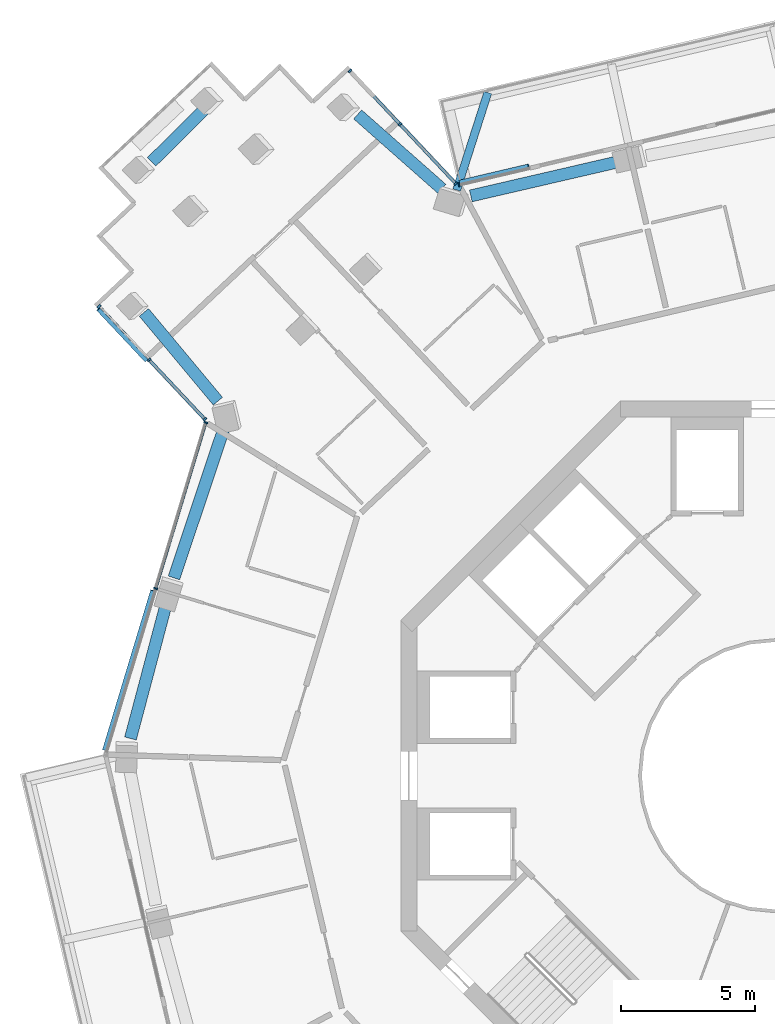
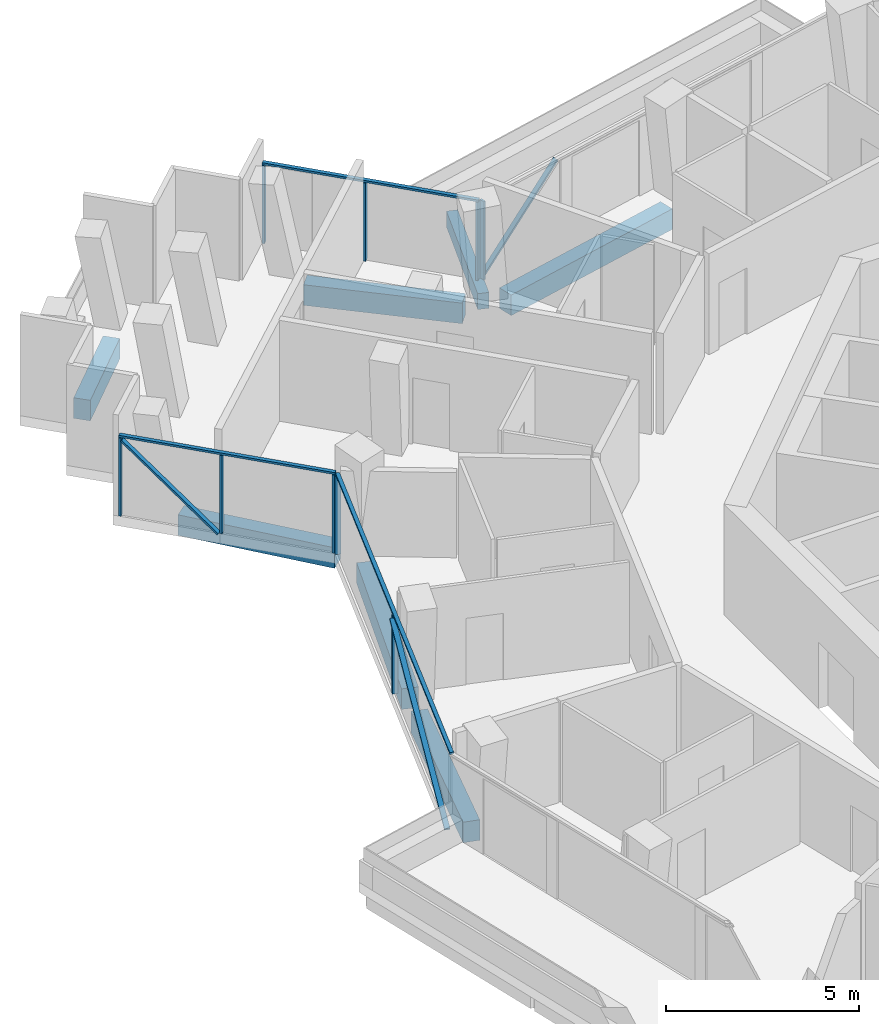
# One storey, part 7 of 24: 15 members, 7 beams, 4 elements without a shape of their own.
"""IFC4 building model written with IfcOpenShell, lengths in metres."""

from ifc_helpers import new_model, si_unit, direction, frame, origin, origin_2d, place, context, subcontext, project, spatial, rectangle, extrude, material, layer, layer_set, material_profile, profile_set, type_object, element, aggregate, save


model = new_model("IFC4")

# Units and contexts
model_context = context("Model", 3, precision=1e-05, world=origin(), true_north=direction((0.0, 1.0)))
body_context = subcontext(model_context, "Body", "Model", "MODEL_VIEW")
ifc_project = project(units=[si_unit("LENGTHUNIT", "METRE"), si_unit("AREAUNIT", "SQUARE_METRE"), si_unit("VOLUMEUNIT", "CUBIC_METRE"), si_unit("PLANEANGLEUNIT", "RADIAN"), si_unit("MASSUNIT", "GRAM", prefix="KILO")], contexts=[model_context])

# Site, building, storey
site_placement = place(None, origin())
site = spatial("IfcSite", under=ifc_project, at=site_placement, CompositionType="ELEMENT")
building_placement = place(site_placement, origin())
building = spatial("IfcBuilding", under=site, at=building_placement, Name="Verdalira Terraces Hotel", CompositionType="ELEMENT")
storey_placement = place(building_placement, frame((0.0, 0.0, 209.0)))
storey = spatial("IfcBuildingStorey", under=building, at=storey_placement, Name="L51", CompositionType="ELEMENT", Elevation=209.0)

# Beam
ifc_material_1 = material(Name="Concrete C40", Category="concrete")
ifc_material_profile_1 = material_profile(ifc_material_1, rectangle(XDim=0.300049, YDim=0.5, at=origin_2d()), Name="RC 300X500")
ifc_profile_set_1 = profile_set([ifc_material_profile_1], Name="Concrete C40")
beam_type_1 = type_object("IfcBeamType", Name="Balcony cantilever beam RC 300X500 C40", PredefinedType="BEAM", material=ifc_profile_set_1)
beam_1_placement = place(storey_placement, frame((-11.913818, 21.868408, -0.560059), z_axis=(0.305007634, 0.952349906, 0.0), x_axis=(-0.952349906, 0.305007634, 0.0)))
element("IfcBeam", 1, at=beam_1_placement, inside=storey, type_object=beam_type_1, Name="Balcony cantilever beam R41-3", PredefinedType="BEAM", context=body_context, shape_type="SweptSolid", body=[
    extrude(rectangle(XDim=0.300049, YDim=0.5, at=origin_2d()), origin(), (0.0, 0.0, 1.0), 3.819824),
])

# Curtain wall, members
ifc_material_2 = material(Name="Clear glass", Category="glass")
ifc_layer_1 = layer(ifc_material_2, 0.14990234375)
ifc_layer_set_1 = layer_set([ifc_layer_1], Name="CW1 curtain wall")
curtain_wall_type_1 = type_object("IfcCurtainWallType", Name="CW1 curtain wall", PredefinedType="NOTDEFINED", material=ifc_layer_set_1)
curtain_wall_1_placement = place(storey_placement, origin())
curtain_wall_1 = element("IfcCurtainWall", 2, at=curtain_wall_1_placement, inside=storey, type_object=curtain_wall_type_1, Name="CW1 curtain wall L51 edge 11", PredefinedType="NOTDEFINED")
ifc_material_3 = material(Name="Terracotta frame", Category="masonry")
ifc_material_profile_2 = material_profile(ifc_material_3, rectangle(XDim=0.060059, YDim=0.149902, at=origin_2d()), Name="MU 60x150")
ifc_profile_set_2 = profile_set([ifc_material_profile_2], Name="Terracotta frame")
member_type_1 = type_object("IfcMemberType", Name="CW1 mullion 60x150", PredefinedType="MULLION", material=ifc_profile_set_2)
member_1_placement = place(storey_placement, frame((-21.28125, 13.183594, 0.0), z_axis=(0.0, 0.0, 1.0), x_axis=(-0.289031797, -0.957319498, 0.0)))
member_1 = element("IfcMember", 3, at=member_1_placement, type_object=member_type_1, Name="CW1 mullion", PredefinedType="MULLION", context=body_context, shape_type="SweptSolid", body=[
    extrude(rectangle(XDim=0.060059, YDim=0.149902, at=origin_2d()), origin(), (0.0, 0.0, 1.0), 2.475098),
])
member_2_placement = place(storey_placement, frame((-23.151123, 6.989746, 0.0), z_axis=(0.0, 0.0, 1.0), x_axis=(-0.289031797, -0.957319498, 0.0)))
member_2 = element("IfcMember", 4, at=member_2_placement, type_object=member_type_1, Name="CW1 mullion", PredefinedType="MULLION", context=body_context, shape_type="SweptSolid", body=[
    extrude(rectangle(XDim=0.060059, YDim=0.149902, at=origin_2d()), origin(), (0.0, 0.0, 1.0), 2.475098),
])

# Curtain wall, member
curtain_wall_2_placement = place(storey_placement, origin())
curtain_wall_2 = element("IfcCurtainWall", 5, at=curtain_wall_2_placement, inside=storey, type_object=curtain_wall_type_1, Name="CW1 curtain wall L51 edge 41", PredefinedType="NOTDEFINED")
member_3_placement = place(storey_placement, frame((-11.821289, 22.066895, 0.0), z_axis=(0.0, 0.0, 1.0), x_axis=(-0.973578903, -0.22835087, 0.0)))
member_3 = element("IfcMember", 6, at=member_3_placement, type_object=member_type_1, Name="CW1 mullion", PredefinedType="MULLION", context=body_context, shape_type="SweptSolid", body=[
    extrude(rectangle(XDim=0.060059, YDim=0.149902, at=origin_2d()), origin(), (0.0, 0.0, 1.0), 2.475098),
])

# Member
ifc_material_4 = material(Name="Terracotta frame", Category="masonry")
ifc_material_profile_3 = material_profile(ifc_material_4, rectangle(XDim=0.110107, YDim=0.064941, at=origin_2d()), Name="TR 65x110")
ifc_profile_set_3 = profile_set([ifc_material_profile_3], Name="Terracotta frame")
member_type_2 = type_object("IfcMemberType", Name="CW1 transom 65x110", PredefinedType="USERDEFINED", material=ifc_profile_set_3)
member_4_placement = place(storey_placement, frame((-21.272461, 13.212402, 2.507568), z_axis=(-0.289034235, -0.957318761, 0.0), x_axis=(0.957318761, -0.289034235, 0.0)))
member_4 = element("IfcMember", 7, at=member_4_placement, type_object=member_type_2, Name="CW1 transom", ObjectType="TRANSOM", PredefinedType="USERDEFINED", context=body_context, shape_type="SweptSolid", body=[
    extrude(rectangle(XDim=0.110107, YDim=0.064941, at=origin_2d()), origin(), (0.0, 0.0, 1.0), 12.959961),
])

# Curtain wall, members
ifc_material_5 = material(Name="Clear glass", Category="glass")
ifc_layer_2 = layer(ifc_material_5, 0.14990234375)
ifc_layer_set_2 = layer_set([ifc_layer_2], Name="CW2 curtain wall")
curtain_wall_type_2 = type_object("IfcCurtainWallType", Name="CW2 curtain wall", PredefinedType="NOTDEFINED", material=ifc_layer_set_2)
curtain_wall_3_placement = place(storey_placement, origin())
curtain_wall_3 = element("IfcCurtainWall", 8, at=curtain_wall_3_placement, inside=storey, type_object=curtain_wall_type_2, Name="CW2 curtain wall L51 edge 0", PredefinedType="NOTDEFINED")
ifc_material_6 = material(Name="Terracotta frame", Category="masonry")
ifc_material_profile_4 = material_profile(ifc_material_6, rectangle(XDim=0.070068, YDim=0.149902, at=origin_2d()), Name="MU 70x150")
ifc_profile_set_4 = profile_set([ifc_material_profile_4], Name="Terracotta frame")
member_type_3 = type_object("IfcMemberType", Name="CW2 mullion 70x150", PredefinedType="MULLION", material=ifc_profile_set_4)
member_5_placement = place(storey_placement, frame((-11.946289, 22.107178, 0.0), z_axis=(0.0, 0.0, 1.0), x_axis=(-0.684547106, 0.728968627, 0.0)))
member_5 = element("IfcMember", 9, at=member_5_placement, type_object=member_type_3, Name="CW2 mullion", PredefinedType="MULLION", context=body_context, shape_type="SweptSolid", body=[
    extrude(rectangle(XDim=0.070068, YDim=0.149902, at=origin_2d()), origin(), (0.0, 0.0, 1.0), 2.475098),
])
member_6_placement = place(storey_placement, frame((-14.027588, 24.323486, 0.0), z_axis=(0.0, 0.0, 1.0), x_axis=(-0.684547106, 0.728968627, 0.0)))
member_6 = element("IfcMember", 10, at=member_6_placement, type_object=member_type_3, Name="CW2 mullion", PredefinedType="MULLION", context=body_context, shape_type="SweptSolid", body=[
    extrude(rectangle(XDim=0.070068, YDim=0.149902, at=origin_2d()), origin(), (0.0, 0.0, 1.0), 2.475098),
])
member_7_placement = place(storey_placement, frame((-15.899658, 26.317383, 0.0), z_axis=(0.0, 0.0, 1.0), x_axis=(-0.684547106, 0.728968627, 0.0)))
member_7 = element("IfcMember", 11, at=member_7_placement, type_object=member_type_3, Name="CW2 mullion", PredefinedType="MULLION", context=body_context, shape_type="SweptSolid", body=[
    extrude(rectangle(XDim=0.070068, YDim=0.149902, at=origin_2d()), origin(), (0.0, 0.0, 1.0), 2.475098),
])

curtain_wall_4_placement = place(storey_placement, origin())
curtain_wall_4 = element("IfcCurtainWall", 12, at=curtain_wall_4_placement, inside=storey, type_object=curtain_wall_type_2, Name="CW2 curtain wall L51 edge 10", PredefinedType="NOTDEFINED")
member_8_placement = place(storey_placement, frame((-25.26709, 17.520752, 0.0), z_axis=(0.0, 0.0, 1.0), x_axis=(0.684547106, -0.728968627, 0.0)))
member_8 = element("IfcMember", 13, at=member_8_placement, type_object=member_type_3, Name="CW2 mullion", PredefinedType="MULLION", context=body_context, shape_type="SweptSolid", body=[
    extrude(rectangle(XDim=0.070068, YDim=0.149902, at=origin_2d()), origin(), (0.0, 0.0, 1.0), 2.475098),
])
member_9_placement = place(storey_placement, frame((-23.394775, 15.5271, 0.0), z_axis=(0.0, 0.0, 1.0), x_axis=(0.684547106, -0.728968627, 0.0)))
member_9 = element("IfcMember", 14, at=member_9_placement, type_object=member_type_3, Name="CW2 mullion", PredefinedType="MULLION", context=body_context, shape_type="SweptSolid", body=[
    extrude(rectangle(XDim=0.070068, YDim=0.149902, at=origin_2d()), origin(), (0.0, 0.0, 1.0), 2.475098),
])
member_10_placement = place(storey_placement, frame((-21.313477, 13.310791, 0.0), z_axis=(0.0, 0.0, 1.0), x_axis=(0.684547106, -0.728968627, 0.0)))
member_10 = element("IfcMember", 15, at=member_10_placement, type_object=member_type_3, Name="CW2 mullion", PredefinedType="MULLION", context=body_context, shape_type="SweptSolid", body=[
    extrude(rectangle(XDim=0.070068, YDim=0.149902, at=origin_2d()), origin(), (0.0, 0.0, 1.0), 2.475098),
])

# Member
ifc_material_7 = material(Name="Terracotta frame", Category="masonry")
ifc_material_profile_5 = material_profile(ifc_material_7, rectangle(XDim=0.11499, YDim=0.064941, at=origin_2d()), Name="TR 65x115")
ifc_profile_set_5 = profile_set([ifc_material_profile_5], Name="Terracotta frame")
member_type_4 = type_object("IfcMemberType", Name="CW2 transom 65x115", PredefinedType="USERDEFINED", material=ifc_profile_set_5)
member_11_placement = place(storey_placement, frame((-11.922363, 22.081787, 2.507568), z_axis=(-0.684559137, 0.728957329, 0.0), x_axis=(-0.728957329, -0.684559137, 0.0)))
member_11 = element("IfcMember", 16, at=member_11_placement, type_object=member_type_4, Name="CW2 transom", ObjectType="TRANSOM", PredefinedType="USERDEFINED", context=body_context, shape_type="SweptSolid", body=[
    extrude(rectangle(XDim=0.11499, YDim=0.064941, at=origin_2d()), origin(), (0.0, 0.0, 1.0), 5.845215),
])

aggregate(curtain_wall_3, [member_5, member_6, member_7, member_11])

member_12_placement = place(storey_placement, frame((-25.291016, 17.546387, 2.507568), z_axis=(0.684559137, -0.728957329, 0.0), x_axis=(0.728957329, 0.684559137, 0.0)))
member_12 = element("IfcMember", 17, at=member_12_placement, type_object=member_type_4, Name="CW2 transom", ObjectType="TRANSOM", PredefinedType="USERDEFINED", context=body_context, shape_type="SweptSolid", body=[
    extrude(rectangle(XDim=0.11499, YDim=0.064941, at=origin_2d()), origin(), (0.0, 0.0, 1.0), 5.845215),
])

ifc_material_8 = material(Name="Terracotta frame", Category="masonry")
ifc_material_profile_6 = material_profile(ifc_material_8, rectangle(XDim=0.149902, YDim=0.060059, at=origin_2d()), Name="GB 60x150")
ifc_profile_set_6 = profile_set([ifc_material_profile_6], Name="Terracotta frame")
member_type_5 = type_object("IfcMemberType", Name="Diagonal glazing bar 60x150", PredefinedType="USERDEFINED", material=ifc_profile_set_6)
member_13_placement = place(storey_placement, frame((-25.292236, 17.414795, 2.45166), z_axis=(0.501638593, -0.534137001, -0.680482466), x_axis=(0.728934194, 0.684583772, 0.0)))
member_13 = element("IfcMember", 18, at=member_13_placement, type_object=member_type_5, Name="Diagonal glazing bar", ObjectType="GLAZING BAR", PredefinedType="USERDEFINED", context=body_context, shape_type="SweptSolid", body=[
    extrude(rectangle(XDim=0.149902, YDim=0.060059, at=origin_2d()), origin(), (0.0, 0.0, 1.0), 3.568359),
])

aggregate(curtain_wall_4, [member_8, member_9, member_10, member_12, member_13])

member_14_placement = place(storey_placement, frame((-23.266357, 6.916016, 2.446289), z_axis=(-0.269405087, -0.892335775, -0.362157097), x_axis=(0.957321566, -0.289024947, 0.0)))
member_14 = element("IfcMember", 19, at=member_14_placement, type_object=member_type_5, Name="Diagonal glazing bar", ObjectType="GLAZING BAR", PredefinedType="USERDEFINED", context=body_context, shape_type="SweptSolid", body=[
    extrude(rectangle(XDim=0.149902, YDim=0.060059, at=origin_2d()), origin(), (0.0, 0.0, 1.0), 6.675293),
])

aggregate(curtain_wall_1, [member_1, member_2, member_4, member_14])

member_15_placement = place(storey_placement, frame((-9.229248, 22.766357, 2.45166), z_axis=(-0.715070922, -0.167714153, -0.678635056), x_axis=(0.228345428, -0.973580179, 0.0)))
member_15 = element("IfcMember", 20, at=member_15_placement, type_object=member_type_5, Name="Diagonal glazing bar", ObjectType="GLAZING BAR", PredefinedType="USERDEFINED", context=body_context, shape_type="SweptSolid", body=[
    extrude(rectangle(XDim=0.149902, YDim=0.060059, at=origin_2d()), origin(), (0.0, 0.0, 1.0), 3.578125),
])

aggregate(curtain_wall_2, [member_3, member_15])

# Beams
ifc_material_9 = material(Name="Concrete C50", Category="concrete")
ifc_material_profile_7 = material_profile(ifc_material_9, rectangle(XDim=0.449951, YDim=0.649902, at=origin_2d()), Name="RC 450X650")
ifc_profile_set_7 = profile_set([ifc_material_profile_7], Name="Concrete C50")
beam_type_2 = type_object("IfcBeamType", Name="Spandrel beam RC 450X650 C50", PredefinedType="SPANDREL", material=ifc_profile_set_7)
beam_2_placement = place(storey_placement, frame((-12.466064, 21.915283, -0.63501), z_axis=(-0.749586344, 0.661906574, 0.0), x_axis=(-0.661906574, -0.749586344, 0.0)))
element("IfcBeam", 21, at=beam_2_placement, inside=storey, type_object=beam_type_2, Name="Spandrel beam B01", PredefinedType="SPANDREL", context=body_context, shape_type="SweptSolid", body=[
    extrude(rectangle(XDim=0.449951, YDim=0.649902, at=origin_2d()), origin(), (0.0, 0.0, 1.0), 4.193359),
])
beam_3_placement = place(storey_placement, frame((-21.24292, 24.964111, -0.63501), z_axis=(-0.710003777, -0.704197868, 0.0), x_axis=(0.704197868, -0.710003777, 0.0)))
element("IfcBeam", 22, at=beam_3_placement, inside=storey, type_object=beam_type_2, Name="Spandrel beam B02", PredefinedType="SPANDREL", context=body_context, shape_type="SweptSolid", body=[
    extrude(rectangle(XDim=0.449951, YDim=0.649902, at=origin_2d()), origin(), (0.0, 0.0, 1.0), 2.901367),
])
beam_4_placement = place(storey_placement, frame((-23.589111, 17.298584, -0.63501), z_axis=(0.640067485, -0.768318694, 0.0), x_axis=(0.768318694, 0.640067485, 0.0)))
element("IfcBeam", 23, at=beam_4_placement, inside=storey, type_object=beam_type_2, Name="Spandrel beam B03", PredefinedType="SPANDREL", context=body_context, shape_type="SweptSolid", body=[
    extrude(rectangle(XDim=0.449951, YDim=0.649902, at=origin_2d()), origin(), (0.0, 0.0, 1.0), 4.313477),
])
beam_5_placement = place(storey_placement, frame((-20.626709, 12.899902, -0.63501), z_axis=(-0.316605702, -0.948557236, 0.0), x_axis=(0.948557236, -0.316605702, 0.0)))
element("IfcBeam", 24, at=beam_5_placement, inside=storey, type_object=beam_type_2, Name="Spandrel beam B04", PredefinedType="SPANDREL", context=body_context, shape_type="SweptSolid", body=[
    extrude(rectangle(XDim=0.449951, YDim=0.649902, at=origin_2d()), origin(), (0.0, 0.0, 1.0), 5.813477),
])
beam_6_placement = place(storey_placement, frame((-22.760498, 6.404541, -0.63501), z_axis=(-0.256734285, -0.966482026, 0.0), x_axis=(0.966482026, -0.256734285, 0.0)))
element("IfcBeam", 25, at=beam_6_placement, inside=storey, type_object=beam_type_2, Name="Spandrel beam B05", PredefinedType="SPANDREL", context=body_context, shape_type="SweptSolid", body=[
    extrude(rectangle(XDim=0.449951, YDim=0.649902, at=origin_2d()), origin(), (0.0, 0.0, 1.0), 5.189209),
])
beam_7_placement = place(storey_placement, frame((-5.824707, 22.935303, -0.63501), z_axis=(-0.974262693, -0.225415629, 0.0), x_axis=(0.225415629, -0.974262693, 0.0)))
element("IfcBeam", 26, at=beam_7_placement, inside=storey, type_object=beam_type_2, Name="Spandrel beam B23", PredefinedType="SPANDREL", context=body_context, shape_type="SweptSolid", body=[
    extrude(rectangle(XDim=0.449951, YDim=0.649902, at=origin_2d()), origin(), (0.0, 0.0, 1.0), 5.706787),
])

save(model, "model.ifc")
